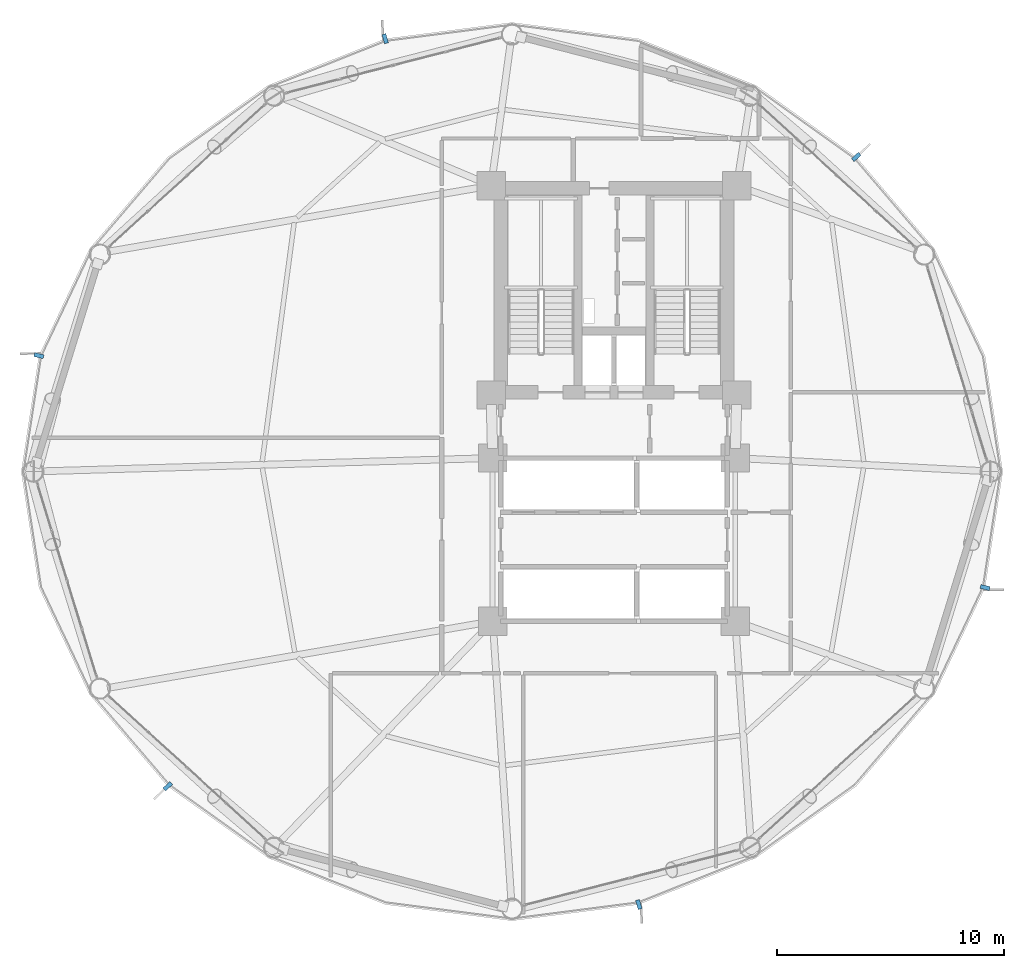
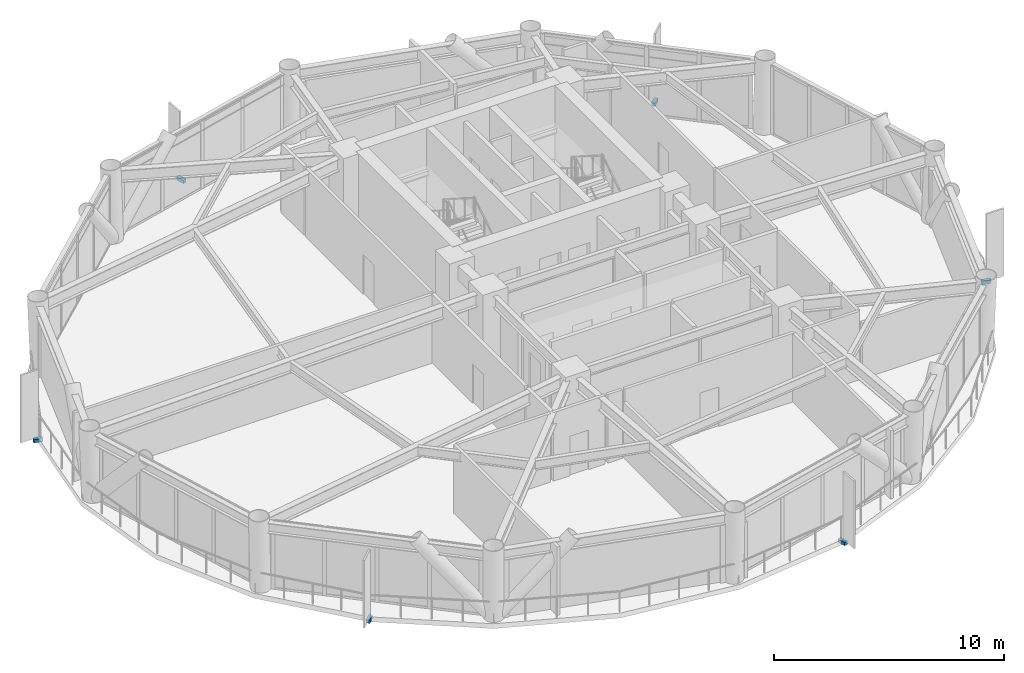
# One storey, part 23 of 26: 6 discrete accessories.
"""IFC4 building model written with IfcOpenShell, lengths in metres."""

from ifc_helpers import new_model, si_unit, direction, frame, origin, origin_2d, place, context, subcontext, project, spatial, rectangle, extrude, source, transform, mapped, material, type_object, type_shapes, element, save


model = new_model("IFC4")

# Units and contexts
model_context = context("Model", 3, precision=1e-05, world=origin(), true_north=direction((0.0, 1.0)))
body_context = subcontext(model_context, "Body", "Model", "MODEL_VIEW")
ifc_project = project(units=[si_unit("LENGTHUNIT", "METRE"), si_unit("AREAUNIT", "SQUARE_METRE"), si_unit("VOLUMEUNIT", "CUBIC_METRE"), si_unit("PLANEANGLEUNIT", "RADIAN"), si_unit("MASSUNIT", "GRAM", prefix="KILO")], contexts=[model_context])

# Site, building, storey
site_placement = place(None, origin())
site = spatial("IfcSite", under=ifc_project, at=site_placement, CompositionType="ELEMENT")
building_placement = place(site_placement, origin())
building = spatial("IfcBuilding", under=site, at=building_placement, Name="Varnakorn Sky Granary", CompositionType="ELEMENT")
storey_placement = place(building_placement, frame((0.0, 0.0, 51.0)))
storey = spatial("IfcBuildingStorey", under=building, at=storey_placement, Name="L12", CompositionType="ELEMENT", Elevation=51.0)

# Discrete accessories
ifc_material = material(Name="Steel S355JR", Category="steel")
discrete_accessory_type = type_object("IfcDiscreteAccessoryType", Name="AC-BRK-01", PredefinedType="BRACKET", material=ifc_material)
shared_shape = source(origin(), body_context, "Body", "SweptSolid", [
    extrude(rectangle(XDim=0.179931640625, YDim=0.419921875, at=origin_2d()), origin(), (0.0, 0.0, 1.0), 0.179931640625),
])
type_shapes(discrete_accessory_type, [shared_shape])
for number, where, z_axis, x_axis, name in (
    (1, (13.69091796875, 13.8857421875, -0.2001953125), (0.0, 0.0, 1.0), (-0.674686443137, 0.738104466486, 0.0), "Facade Solar-Screen Outrigger Bracket L12-02"),
    (2, (-7.096435546875, 19.103515625, -0.2001953125), (0.0, 0.0, 1.0), (-0.959665461848, -0.281144449237, 0.0), "Facade Solar-Screen Outrigger Bracket L12-04"),
    (3, (-22.377197265625, 5.116455078125, -0.2001953125), (0.0, 0.0, 1.0), (-0.238030770452, -0.971257613776, 0.0), "Facade Solar-Screen Outrigger Bracket L12-06"),
    (4, (-16.69091796875, -13.8857421875, -0.2001953125), (0.0, 0.0, 1.0), (0.674686443137, -0.738104466486, 0.0), "Facade Solar-Screen Outrigger Bracket L12-08"),
    (5, (4.096435546875, -19.103515625, -0.2001953125), (0.0, 0.0, 1.0), (0.959665461848, 0.281144449237, 0.0), "Facade Solar-Screen Outrigger Bracket L12-10"),
    (6, (19.377197265625, -5.116455078125, -0.2001953125), (0.0, 0.0, 1.0), (0.238030770452, 0.971257613776, 0.0), "Facade Solar-Screen Outrigger Bracket L12-12"),
):
    element("IfcDiscreteAccessory", number, at=place(storey_placement, frame(where, z_axis=z_axis, x_axis=x_axis)), inside=storey, type_object=discrete_accessory_type, Name=name, PredefinedType="BRACKET", context=body_context, shape_type="MappedRepresentation", body=[
        mapped(shared_shape, transform((0.0, 0.0, 0.0), x_axis=(1.0, 0.0, 0.0), y_axis=(0.0, 1.0, 0.0), z_axis=(0.0, 0.0, 1.0), scale=1.0)),
    ])

save(model, "model.ifc")
